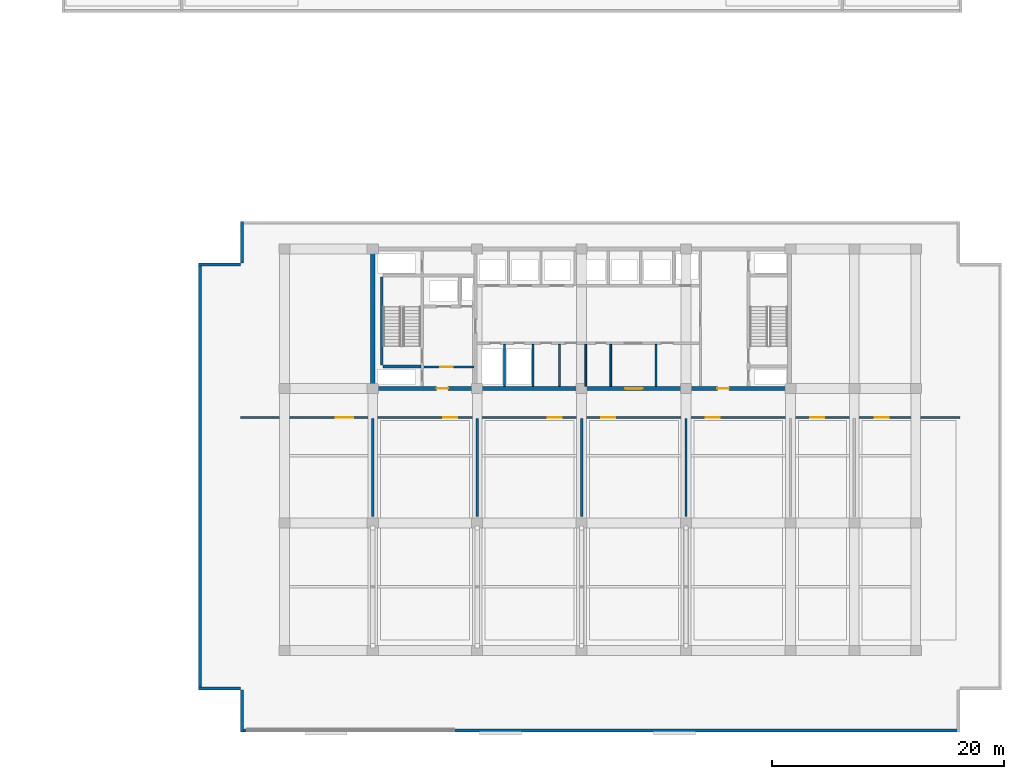
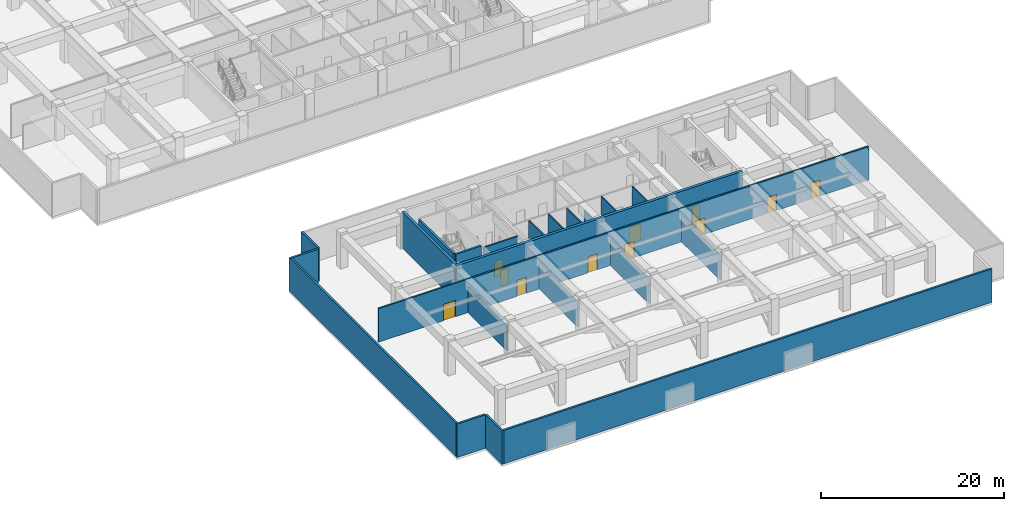
# One storey, part 8 of 21: 22 walls, 11 doors, 11 openings.
"""IFC4 building model written with IfcOpenShell, lengths in metres."""

from ifc_helpers import new_model, si_unit, direction, frame, frame_2d, origin, place, context, subcontext, project, spatial, rectangle, extrude, material, layer, layer_set, type_object, element, fill, save


model = new_model("IFC4")

# Units and contexts
model_context = context("Model", 3, precision=1e-05, world=origin(), true_north=direction((0.0, 1.0)))
body_context = subcontext(model_context, "Body", "Model", "MODEL_VIEW")
ifc_project = project(units=[si_unit("LENGTHUNIT", "METRE"), si_unit("AREAUNIT", "SQUARE_METRE"), si_unit("VOLUMEUNIT", "CUBIC_METRE"), si_unit("PLANEANGLEUNIT", "RADIAN"), si_unit("MASSUNIT", "GRAM", prefix="KILO")], contexts=[model_context])

# Site, building, storey
site_placement = place(None, origin())
site = spatial("IfcSite", under=ifc_project, at=site_placement, CompositionType="ELEMENT")
building_placement = place(site_placement, origin())
building = spatial("IfcBuilding", under=site, at=building_placement, Name="Korimba Cascade Residences", CompositionType="ELEMENT")
storey_placement = place(building_placement, frame((0.0, 0.0, 76.0)))
storey = spatial("IfcBuildingStorey", under=building, at=storey_placement, Name="L21", CompositionType="ELEMENT", Elevation=76.0)

# Walls
ifc_material_1 = material(Name="Precast concrete C40/50", Category="concrete")
ifc_layer_1 = layer(ifc_material_1, 0.25)
ifc_layer_set_1 = layer_set([ifc_layer_1], Name="Precast concrete C40/50")
wall_type_1 = type_object("IfcWallType", Name="EW-PLNT-250", PredefinedType="SHEAR", material=ifc_layer_set_1)
wall_1_placement = place(storey_placement, frame((70.699951171875, -11.074951171875, 0.0), z_axis=(0.0, 0.0, 1.0), x_axis=(1.0, 0.0, 0.0)))
element("IfcWall", 1, at=wall_1_placement, inside=storey, type_object=wall_type_1, Name="L21 T2 Perimeter Stone Wall E00", PredefinedType="SHEAR", context=body_context, shape_type="SweptSolid", body=[
    extrude(rectangle(XDim=62.0, YDim=0.25, at=frame_2d((31.0, 0.0))), origin(), (0.0, 0.0, 1.0), 4.47998046875),
])
wall_2_placement = place(storey_placement, frame((70.824951171875, 32.800048828125, 0.0), z_axis=(0.0, 0.0, 1.0), x_axis=(0.0, -1.0, 0.0)))
element("IfcWall", 2, at=wall_2_placement, inside=storey, type_object=wall_type_1, Name="L21 T2 Perimeter Stone Wall E07", PredefinedType="SHEAR", context=body_context, shape_type="SweptSolid", body=[
    extrude(rectangle(XDim=3.60009765625, YDim=0.25, at=frame_2d((1.800048828125, 0.0))), origin(), (0.0, 0.0, 1.0), 4.47998046875),
])
wall_3_placement = place(storey_placement, frame((70.699951171875, 29.074951171875, 0.0), z_axis=(0.0, 0.0, 1.0), x_axis=(-1.0, 0.0, 0.0)))
element("IfcWall", 3, at=wall_3_placement, inside=storey, type_object=wall_type_1, Name="L21 T2 Perimeter Stone Wall E08", PredefinedType="SHEAR", context=body_context, shape_type="SweptSolid", body=[
    extrude(rectangle(XDim=3.599853515625, YDim=0.25, at=frame_2d((1.7998046875, 0.0))), origin(), (0.0, 0.0, 1.0), 4.47998046875),
])
wall_4_placement = place(storey_placement, frame((67.22509765625, 29.199951171875, 0.0), z_axis=(0.0, 0.0, 1.0), x_axis=(0.0, -1.0, 0.0)))
element("IfcWall", 4, at=wall_4_placement, inside=storey, type_object=wall_type_1, Name="L21 T2 Perimeter Stone Wall E09", PredefinedType="SHEAR", context=body_context, shape_type="SweptSolid", body=[
    extrude(rectangle(XDim=36.800048828125, YDim=0.25, at=frame_2d((18.39990234375, 0.0))), origin(), (0.0, 0.0, 1.0), 4.47998046875),
])
for number, where, z_axis, x_axis, name in (
    (5, (67.10009765625, -7.47509765625, 0.0), (0.0, 0.0, 1.0), (1.0, 0.0, 0.0), "L21 T2 Perimeter Stone Wall E10"),
    (6, (70.824951171875, -7.60009765625, 0.0), (0.0, 0.0, 1.0), (0.0, -1.0, 0.0), "L21 T2 Perimeter Stone Wall E11"),
):
    element("IfcWall", number, at=place(storey_placement, frame(where, z_axis=z_axis, x_axis=x_axis)), inside=storey, type_object=wall_type_1, Name=name, PredefinedType="SHEAR", context=body_context, shape_type="SweptSolid", body=[
        extrude(rectangle(XDim=3.599853515625, YDim=0.25, at=frame_2d((1.7998046875, 0.0))), origin(), (0.0, 0.0, 1.0), 4.47998046875),
    ])
ifc_material_2 = material(Name="Concrete C65/80", Category="concrete")
ifc_layer_2 = layer(ifc_material_2, 0.35009765625)
ifc_layer_set_2 = layer_set([ifc_layer_2], Name="Concrete C65/80")
wall_type_2 = type_object("IfcWallType", Name="WAL-CORE-350", PredefinedType="SHEAR", material=ifc_layer_set_2)
wall_5_placement = place(storey_placement, frame((82.10009765625, 18.574951171875, 0.0), z_axis=(0.0, 0.0, 1.0), x_axis=(0.0, 1.0, 0.0)))
element("IfcWall", 7, at=wall_5_placement, inside=storey, type_object=wall_type_2, Name="L21 Core Shear Wall CW-L21-T2-W", PredefinedType="SHEAR", context=body_context, shape_type="SweptSolid", body=[
    extrude(rectangle(XDim=11.650146484375, YDim=0.35009765625, at=frame_2d((5.8251953125, 0.0))), origin(), (0.0, 0.0, 1.0), 4.800048828125),
])

# Wall, openings, doors
wall_6_placement = place(storey_placement, frame((81.925048828125, 18.39990234375, 0.0), z_axis=(0.0, 0.0, 1.0), x_axis=(1.0, 0.0, 0.0)))
wall_6 = element("IfcWall", 8, at=wall_6_placement, inside=storey, type_object=wall_type_2, Name="L21 Core Shear Wall CW-L21-T2-S", PredefinedType="SHEAR", context=body_context, shape_type="SweptSolid", body=[
    extrude(rectangle(XDim=36.264892578125, YDim=0.35009765625, at=frame_2d((18.13232421875, 0.0))), origin(), (0.0, 0.0, 1.0), 4.800048828125),
])
opening_1_placement = place(wall_6_placement, frame((5.675048828125, 0.0, 0.0)))
opening_1 = element("IfcOpeningElement", 9, at=opening_1_placement, cuts=wall_6, Name="Opening D-FD5", PredefinedType="OPENING", context=body_context, shape_type="SweptSolid", body=[
    extrude(rectangle(XDim=1.0, YDim=2.14990234375, at=frame_2d((0.5, 1.074951171875))), frame((0.0, 0.18505859375, 0.0), z_axis=(0.0, -1.0, 0.0), x_axis=(1.0, 0.0, 0.0)), (0.0, 0.0, 1.0), 0.3701171875),
])
opening_2_placement = place(wall_6_placement, frame((21.925048828125, 0.0, 0.0)))
opening_2 = element("IfcOpeningElement", 10, at=opening_2_placement, cuts=wall_6, Name="Opening D-FD8", PredefinedType="OPENING", context=body_context, shape_type="SweptSolid", body=[
    extrude(rectangle(XDim=1.5, YDim=2.199951171875, at=frame_2d((0.75, 1.10009765625))), frame((0.0, 0.18505859375, 0.0), z_axis=(0.0, -1.0, 0.0), x_axis=(1.0, 0.0, 0.0)), (0.0, 0.0, 1.0), 0.3701171875),
])
opening_3_placement = place(wall_6_placement, frame((29.875, 0.0, 0.0)))
opening_3 = element("IfcOpeningElement", 11, at=opening_3_placement, cuts=wall_6, Name="Opening D-FD5", PredefinedType="OPENING", context=body_context, shape_type="SweptSolid", body=[
    extrude(rectangle(XDim=1.0, YDim=2.14990234375, at=frame_2d((0.5, 1.074951171875))), frame((0.0, 0.18505859375, 0.0), z_axis=(0.0, -1.0, 0.0), x_axis=(1.0, 0.0, 0.0)), (0.0, 0.0, 1.0), 0.3701171875),
])
ifc_material_3 = material(Name="Fire-Rated Acoustic Timber Vestibule Door", Category="wood")
door_type_1 = type_object("IfcDoorType", Name="DR-FD90-1000", OperationType="NOTDEFINED", PredefinedType="DOOR", material=ifc_material_3)
door_1_placement = place(opening_1_placement, origin())
door_1 = element("IfcDoor", 12, at=door_1_placement, inside=storey, type_object=door_type_1, Name="L21 T2 West Core Vestibule Fire Door", OperationType="SINGLE_SWING_RIGHT", OverallHeight=2.14990234375, OverallWidth=1.0, PredefinedType="DOOR", context=body_context, shape_type="SweptSolid", body=[
    extrude(rectangle(XDim=1.0, YDim=2.14990234375, at=frame_2d((0.5, 1.074951171875))), frame((0.0, 0.02490234375, 0.0), z_axis=(0.0, -1.0, 0.0), x_axis=(1.0, 0.0, 0.0)), (0.0, 0.0, 1.0), 0.050048828125),
])
fill(opening_1, door_1)
door_2_placement = place(opening_3_placement, origin())
door_2 = element("IfcDoor", 13, at=door_2_placement, inside=storey, type_object=door_type_1, Name="L21 T2 East Stair Vestibule Fire Door", OperationType="SINGLE_SWING_LEFT", OverallHeight=2.14990234375, OverallWidth=1.0, PredefinedType="DOOR", context=body_context, shape_type="SweptSolid", body=[
    extrude(rectangle(XDim=1.0, YDim=2.14990234375, at=frame_2d((0.5, 1.074951171875))), frame((0.0, 0.02490234375, 0.0), z_axis=(0.0, -1.0, 0.0), x_axis=(1.0, 0.0, 0.0)), (0.0, 0.0, 1.0), 0.050048828125),
])
fill(opening_3, door_2)
ifc_material_4 = material(Name="Fire-Rated Glazed Lift Lobby Double Door", Category="glass")
door_type_2 = type_object("IfcDoorType", Name="DR-FD90-1500", OperationType="NOTDEFINED", PredefinedType="DOOR", material=ifc_material_4)
door_3_placement = place(opening_2_placement, origin())
door_3 = element("IfcDoor", 14, at=door_3_placement, inside=storey, type_object=door_type_2, Name="L21 T2 Lift Lobby Fire Door", OperationType="DOUBLE_DOOR_SINGLE_SWING", OverallHeight=2.199951171875, OverallWidth=1.5, PredefinedType="DOOR", context=body_context, shape_type="SweptSolid", body=[
    extrude(rectangle(XDim=1.5, YDim=2.199951171875, at=frame_2d((0.75, 1.10009765625))), frame((0.0, 0.02490234375, 0.0), z_axis=(0.0, -1.0, 0.0), x_axis=(1.0, 0.0, 0.0)), (0.0, 0.0, 1.0), 0.050048828125),
])
fill(opening_2, door_3)

# Walls
ifc_material_5 = material(Name="Insulated Acoustic Stud Partition", Category="gypsum")
ifc_layer_3 = layer(ifc_material_5, 0.14990234375)
ifc_layer_set_3 = layer_set([ifc_layer_3], Name="Insulated Acoustic Stud Partition")
wall_type_3 = type_object("IfcWallType", Name="WAL-PART-150", PredefinedType="PARTITIONING", material=ifc_layer_set_3)
for number, where, z_axis, x_axis, name in (
    (15, (93.449951171875, 18.60009765625, 0.0), (0.0, 0.0, 1.0), (0.0, 1.0, 0.0), "L21 Partition Wall CW-L21-T2-ERDIV"),
    (16, (95.89990234375, 18.60009765625, 0.0), (0.0, 0.0, 1.0), (0.0, 1.0, 0.0), "L21 Partition Wall CW-L21-T2-PRDIV"),
    (17, (98.199951171875, 18.60009765625, 0.0), (0.0, 0.0, 1.0), (0.0, 1.0, 0.0), "L21 Partition Wall CW-L21-T2-CA1W1"),
):
    element("IfcWall", number, at=place(storey_placement, frame(where, z_axis=z_axis, x_axis=x_axis)), inside=storey, type_object=wall_type_3, Name=name, PredefinedType="PARTITIONING", context=body_context, shape_type="SweptSolid", body=[
        extrude(rectangle(XDim=3.599853515625, YDim=0.14990234375, at=frame_2d((1.7998046875, 0.0))), origin(), (0.0, 0.0, 1.0), 4.47998046875),
    ])
wall_7_placement = place(storey_placement, frame((100.449951171875, 18.60009765625, 0.0), z_axis=(0.0, 0.0, 1.0), x_axis=(0.0, 1.0, 0.0)))
element("IfcWall", 18, at=wall_7_placement, inside=storey, type_object=wall_type_3, Name="L21 Partition Wall CW-L21-T2-CA1W2", PredefinedType="PARTITIONING", context=body_context, shape_type="SweptSolid", body=[
    extrude(rectangle(XDim=3.599853515625, YDim=0.14990234375, at=frame_2d((1.7998046875, 0.0))), origin(), (0.0, 0.0, 1.0), 3.330078125),
])
for number, where, z_axis, x_axis, name in (
    (19, (102.60009765625, 18.60009765625, 0.0), (0.0, 0.0, 1.0), (0.0, 1.0, 0.0), "L21 Partition Wall CW-L21-T2-THW"),
    (20, (106.5, 18.60009765625, 0.0), (0.0, 0.0, 1.0), (0.0, 1.0, 0.0), "L21 Partition Wall CW-L21-T2-THE"),
):
    element("IfcWall", number, at=place(storey_placement, frame(where, z_axis=z_axis, x_axis=x_axis)), inside=storey, type_object=wall_type_3, Name=name, PredefinedType="PARTITIONING", context=body_context, shape_type="SweptSolid", body=[
        extrude(rectangle(XDim=3.599853515625, YDim=0.14990234375, at=frame_2d((1.7998046875, 0.0))), origin(), (0.0, 0.0, 1.0), 4.47998046875),
    ])

# Wall, opening, door
ifc_material_6 = material(Name="Concrete C40/50", Category="concrete")
ifc_layer_4 = layer(ifc_material_6, 0.199951171875)
ifc_layer_set_4 = layer_set([ifc_layer_4], Name="Concrete C40/50")
wall_type_4 = type_object("IfcWallType", Name="WAL-PART-200", PredefinedType="PARTITIONING", material=ifc_layer_set_4)
wall_8_placement = place(storey_placement, frame((86.5, 20.25, 0.0), z_axis=(0.0, 0.0, 1.0), x_axis=(1.0, 0.0, 0.0)))
wall_8 = element("IfcWall", 21, at=wall_8_placement, inside=storey, type_object=wall_type_4, Name="L21 Partition Wall CW-L21-T2-FFLS", PredefinedType="PARTITIONING", context=body_context, shape_type="SweptSolid", body=[
    extrude(rectangle(XDim=4.320068359375, YDim=0.199951171875, at=frame_2d((2.16015625, 0.0))), origin(), (0.0, 0.0, 1.0), 4.47998046875),
])
opening_4_placement = place(wall_8_placement, frame((1.39990234375, 0.0, 0.0)))
opening_4 = element("IfcOpeningElement", 22, at=opening_4_placement, cuts=wall_8, Name="Opening D-FD1", PredefinedType="OPENING", context=body_context, shape_type="SweptSolid", body=[
    extrude(rectangle(XDim=1.10009765625, YDim=2.10009765625, at=frame_2d((0.550048828125, 1.050048828125))), frame((0.0, 0.10986328125, 0.0), z_axis=(0.0, -1.0, 0.0), x_axis=(1.0, 0.0, 0.0)), (0.0, 0.0, 1.0), 0.219970703125),
])
ifc_material_7 = material(Name="Fire-Rated Steel Core Door", Category="steel")
door_type_3 = type_object("IfcDoorType", Name="DR-FD120-1100", OperationType="NOTDEFINED", PredefinedType="DOOR", material=ifc_material_7)
door_4_placement = place(opening_4_placement, origin())
door_4 = element("IfcDoor", 23, at=door_4_placement, inside=storey, type_object=door_type_3, Name="L21 T2 Firefighting Lobby Door", OperationType="SINGLE_SWING_RIGHT", OverallHeight=2.10009765625, OverallWidth=1.10009765625, PredefinedType="DOOR", context=body_context, shape_type="SweptSolid", body=[
    extrude(rectangle(XDim=1.10009765625, YDim=2.10009765625, at=frame_2d((0.550048828125, 1.050048828125))), frame((0.0, 0.02490234375, 0.0), z_axis=(0.0, -1.0, 0.0), x_axis=(1.0, 0.0, 0.0)), (0.0, 0.0, 1.0), 0.050048828125),
])
fill(opening_4, door_4)

# Walls
for number, where, z_axis, x_axis, name in (
    (24, (82.10009765625, 7.35009765625, 0.0), (0.0, 0.0, 1.0), (0.0, 1.0, 0.0), "L21 Partition Wall WAL-L21-T2-PD1"),
    (25, (91.10009765625, 7.35009765625, 0.0), (0.0, 0.0, 1.0), (0.0, 1.0, 0.0), "L21 Partition Wall WAL-L21-T2-PD2"),
    (26, (100.10009765625, 7.35009765625, 0.0), (0.0, 0.0, 1.0), (0.0, 1.0, 0.0), "L21 Partition Wall WAL-L21-T2-PD3"),
    (27, (109.10009765625, 7.35009765625, 0.0), (0.0, 0.0, 1.0), (0.0, 1.0, 0.0), "L21 Partition Wall WAL-L21-T2-PD4"),
):
    element("IfcWall", number, at=place(storey_placement, frame(where, z_axis=z_axis, x_axis=x_axis)), inside=storey, type_object=wall_type_4, Name=name, PredefinedType="PARTITIONING", context=body_context, shape_type="SweptSolid", body=[
        extrude(rectangle(XDim=8.449951171875, YDim=0.199951171875, at=frame_2d((4.22509765625, 0.0))), origin(), (0.0, 0.0, 1.0), 3.330078125),
    ])

# Wall, openings, doors
wall_9_placement = place(storey_placement, frame((70.699951171875, 15.89990234375, 0.0), z_axis=(0.0, 0.0, 1.0), x_axis=(1.0, 0.0, 0.0)))
wall_9 = element("IfcWall", 28, at=wall_9_placement, inside=storey, type_object=wall_type_4, Name="L21 Partition Wall WAL-L21-T2-PCORS", PredefinedType="PARTITIONING", context=body_context, shape_type="SweptSolid", body=[
    extrude(rectangle(XDim=62.0, YDim=0.199951171875, at=frame_2d((31.0, 0.0))), origin(), (0.0, 0.0, 1.0), 4.47998046875),
])
opening_5_placement = place(wall_9_placement, frame((8.2255859375, 0.0, 0.0)))
opening_5 = element("IfcOpeningElement", 29, at=opening_5_placement, cuts=wall_9, Name="Opening D-FD4", PredefinedType="OPENING", context=body_context, shape_type="SweptSolid", body=[
    extrude(rectangle(XDim=1.5, YDim=2.179931640625, at=frame_2d((0.75, 1.08984375))), frame((0.0, 0.10986328125, 0.0), z_axis=(0.0, -1.0, 0.0), x_axis=(1.0, 0.0, 0.0)), (0.0, 0.0, 1.0), 0.219970703125),
])
opening_6_placement = place(wall_9_placement, frame((17.48876953125, 0.0, 0.0)))
opening_6 = element("IfcOpeningElement", 30, at=opening_6_placement, cuts=wall_9, Name="Opening D-FD3", PredefinedType="OPENING", context=body_context, shape_type="SweptSolid", body=[
    extrude(rectangle(XDim=1.199951171875, YDim=2.14990234375, at=frame_2d((0.60009765625, 1.074951171875))), frame((0.0, 0.10986328125, 0.0), z_axis=(0.0, -1.0, 0.0), x_axis=(1.0, 0.0, 0.0)), (0.0, 0.0, 1.0), 0.219970703125),
])
opening_7_placement = place(wall_9_placement, frame((26.48876953125, 0.0, 0.0)))
opening_7 = element("IfcOpeningElement", 31, at=opening_7_placement, cuts=wall_9, Name="Opening D-FD3", PredefinedType="OPENING", context=body_context, shape_type="SweptSolid", body=[
    extrude(rectangle(XDim=1.199951171875, YDim=2.14990234375, at=frame_2d((0.60009765625, 1.074951171875))), frame((0.0, 0.10986328125, 0.0), z_axis=(0.0, -1.0, 0.0), x_axis=(1.0, 0.0, 0.0)), (0.0, 0.0, 1.0), 0.219970703125),
])
opening_8_placement = place(wall_9_placement, frame((31.111083984375, 0.0, 0.0)))
opening_8 = element("IfcOpeningElement", 32, at=opening_8_placement, cuts=wall_9, Name="Opening D-FD3", PredefinedType="OPENING", context=body_context, shape_type="SweptSolid", body=[
    extrude(rectangle(XDim=1.199951171875, YDim=2.14990234375, at=frame_2d((0.60009765625, 1.074951171875))), frame((0.0, 0.10986328125, 0.0), z_axis=(0.0, -1.0, 0.0), x_axis=(1.0, 0.0, 0.0)), (0.0, 0.0, 1.0), 0.219970703125),
])
opening_9_placement = place(wall_9_placement, frame((40.111083984375, 0.0, 0.0)))
opening_9 = element("IfcOpeningElement", 33, at=opening_9_placement, cuts=wall_9, Name="Opening D-FD3", PredefinedType="OPENING", context=body_context, shape_type="SweptSolid", body=[
    extrude(rectangle(XDim=1.199951171875, YDim=2.14990234375, at=frame_2d((0.60009765625, 1.074951171875))), frame((0.0, 0.10986328125, 0.0), z_axis=(0.0, -1.0, 0.0), x_axis=(1.0, 0.0, 0.0)), (0.0, 0.0, 1.0), 0.219970703125),
])
opening_10_placement = place(wall_9_placement, frame((49.097900390625, 0.0, 0.0)))
opening_10 = element("IfcOpeningElement", 34, at=opening_10_placement, cuts=wall_9, Name="Opening D-FD3", PredefinedType="OPENING", context=body_context, shape_type="SweptSolid", body=[
    extrude(rectangle(XDim=1.199951171875, YDim=2.14990234375, at=frame_2d((0.60009765625, 1.074951171875))), frame((0.0, 0.10986328125, 0.0), z_axis=(0.0, -1.0, 0.0), x_axis=(1.0, 0.0, 0.0)), (0.0, 0.0, 1.0), 0.219970703125),
])
opening_11_placement = place(wall_9_placement, frame((54.66162109375, 0.0, 0.0)))
opening_11 = element("IfcOpeningElement", 35, at=opening_11_placement, cuts=wall_9, Name="Opening D-FD3", PredefinedType="OPENING", context=body_context, shape_type="SweptSolid", body=[
    extrude(rectangle(XDim=1.199951171875, YDim=2.14990234375, at=frame_2d((0.60009765625, 1.074951171875))), frame((0.0, 0.10986328125, 0.0), z_axis=(0.0, -1.0, 0.0), x_axis=(1.0, 0.0, 0.0)), (0.0, 0.0, 1.0), 0.219970703125),
])
ifc_material_8 = material(Name="Fire-Rated Steel Plant Door", Category="steel")
door_type_4 = type_object("IfcDoorType", Name="DR-FD120-1200", OperationType="NOTDEFINED", PredefinedType="DOOR", material=ifc_material_8)
door_5_placement = place(opening_6_placement, origin())
door_5 = element("IfcDoor", 36, at=door_5_placement, inside=storey, type_object=door_type_4, Name="L21 Tower 2 Chiller Plant Room Door", OperationType="SINGLE_SWING_RIGHT", OverallHeight=2.14990234375, OverallWidth=1.199951171875, PredefinedType="DOOR", context=body_context, shape_type="SweptSolid", body=[
    extrude(rectangle(XDim=1.199951171875, YDim=2.14990234375, at=frame_2d((0.60009765625, 1.074951171875))), frame((0.0, 0.02490234375, 0.0), z_axis=(0.0, -1.0, 0.0), x_axis=(1.0, 0.0, 0.0)), (0.0, 0.0, 1.0), 0.050048828125),
])
fill(opening_6, door_5)
door_6_placement = place(opening_7_placement, origin())
door_6 = element("IfcDoor", 37, at=door_6_placement, inside=storey, type_object=door_type_4, Name="L21 Tower 2 Condenser Water Plant Room Door", OperationType="SINGLE_SWING_LEFT", OverallHeight=2.14990234375, OverallWidth=1.199951171875, PredefinedType="DOOR", context=body_context, shape_type="SweptSolid", body=[
    extrude(rectangle(XDim=1.199951171875, YDim=2.14990234375, at=frame_2d((0.60009765625, 1.074951171875))), frame((0.0, 0.02490234375, 0.0), z_axis=(0.0, -1.0, 0.0), x_axis=(1.0, 0.0, 0.0)), (0.0, 0.0, 1.0), 0.050048828125),
])
fill(opening_7, door_6)
door_7_placement = place(opening_8_placement, origin())
door_7 = element("IfcDoor", 38, at=door_7_placement, inside=storey, type_object=door_type_4, Name="L21 Tower 2 AHU Plant Room Door", OperationType="SINGLE_SWING_RIGHT", OverallHeight=2.14990234375, OverallWidth=1.199951171875, PredefinedType="DOOR", context=body_context, shape_type="SweptSolid", body=[
    extrude(rectangle(XDim=1.199951171875, YDim=2.14990234375, at=frame_2d((0.60009765625, 1.074951171875))), frame((0.0, 0.02490234375, 0.0), z_axis=(0.0, -1.0, 0.0), x_axis=(1.0, 0.0, 0.0)), (0.0, 0.0, 1.0), 0.050048828125),
])
fill(opening_8, door_7)
door_8_placement = place(opening_9_placement, origin())
door_8 = element("IfcDoor", 39, at=door_8_placement, inside=storey, type_object=door_type_4, Name="L21 Tower 2 Smoke Fan Plant Room Door", OperationType="SINGLE_SWING_LEFT", OverallHeight=2.14990234375, OverallWidth=1.199951171875, PredefinedType="DOOR", context=body_context, shape_type="SweptSolid", body=[
    extrude(rectangle(XDim=1.199951171875, YDim=2.14990234375, at=frame_2d((0.60009765625, 1.074951171875))), frame((0.0, 0.02490234375, 0.0), z_axis=(0.0, -1.0, 0.0), x_axis=(1.0, 0.0, 0.0)), (0.0, 0.0, 1.0), 0.050048828125),
])
fill(opening_9, door_8)
door_9_placement = place(opening_10_placement, origin())
door_9 = element("IfcDoor", 40, at=door_9_placement, inside=storey, type_object=door_type_4, Name="L21 Tower 2 Hydronic Pump Plant Room Door", OperationType="SINGLE_SWING_RIGHT", OverallHeight=2.14990234375, OverallWidth=1.199951171875, PredefinedType="DOOR", context=body_context, shape_type="SweptSolid", body=[
    extrude(rectangle(XDim=1.199951171875, YDim=2.14990234375, at=frame_2d((0.60009765625, 1.074951171875))), frame((0.0, 0.02490234375, 0.0), z_axis=(0.0, -1.0, 0.0), x_axis=(1.0, 0.0, 0.0)), (0.0, 0.0, 1.0), 0.050048828125),
])
fill(opening_10, door_9)
door_10_placement = place(opening_11_placement, origin())
door_10 = element("IfcDoor", 41, at=door_10_placement, inside=storey, type_object=door_type_4, Name="L21 Tower 2 Transformer Switchroom Plant Door", OperationType="SINGLE_SWING_LEFT", OverallHeight=2.14990234375, OverallWidth=1.199951171875, PredefinedType="DOOR", context=body_context, shape_type="SweptSolid", body=[
    extrude(rectangle(XDim=1.199951171875, YDim=2.14990234375, at=frame_2d((0.60009765625, 1.074951171875))), frame((0.0, 0.02490234375, 0.0), z_axis=(0.0, -1.0, 0.0), x_axis=(1.0, 0.0, 0.0)), (0.0, 0.0, 1.0), 0.050048828125),
])
fill(opening_11, door_10)
ifc_material_9 = material(Name="Fire-Rated Double Steel Refuge Door", Category="steel")
door_type_5 = type_object("IfcDoorType", Name="DR-FD120-1500", OperationType="NOTDEFINED", PredefinedType="DOOR", material=ifc_material_9)
door_11_placement = place(opening_5_placement, origin())
door_11 = element("IfcDoor", 42, at=door_11_placement, inside=storey, type_object=door_type_5, Name="L21 Open-Air Fire Refuge Area Door", OperationType="DOUBLE_DOOR_SINGLE_SWING", OverallHeight=2.179931640625, OverallWidth=1.5, PredefinedType="DOOR", context=body_context, shape_type="SweptSolid", body=[
    extrude(rectangle(XDim=1.5, YDim=2.179931640625, at=frame_2d((0.75, 1.08984375))), frame((0.0, 0.02490234375, 0.0), z_axis=(0.0, -1.0, 0.0), x_axis=(1.0, 0.0, 0.0)), (0.0, 0.0, 1.0), 0.050048828125),
])
fill(opening_5, door_11)

# Walls
ifc_material_10 = material(Name="Concrete C50/60", Category="concrete")
ifc_layer_5 = layer(ifc_material_10, 0.25)
ifc_layer_set_5 = layer_set([ifc_layer_5], Name="Concrete C50/60")
wall_type_5 = type_object("IfcWallType", Name="WAL-SHAFT-250", PredefinedType="SHEAR", material=ifc_layer_set_5)
wall_10_placement = place(storey_placement, frame((82.875, 20.39990234375, 0.0), z_axis=(0.0, 0.0, 1.0), x_axis=(0.0, 1.0, 0.0)))
element("IfcWall", 43, at=wall_10_placement, inside=storey, type_object=wall_type_5, Name="L21 Core Shear Wall CW-L21-T2-STE1W", PredefinedType="SHEAR", context=body_context, shape_type="SweptSolid", body=[
    extrude(rectangle(XDim=7.60009765625, YDim=0.25, at=frame_2d((3.800048828125, 0.0))), origin(), (0.0, 0.0, 1.0), 4.800048828125),
])
wall_11_placement = place(storey_placement, frame((83.0, 20.27490234375, 0.0), z_axis=(0.0, 0.0, 1.0), x_axis=(1.0, 0.0, 0.0)))
element("IfcWall", 44, at=wall_11_placement, inside=storey, type_object=wall_type_5, Name="L21 Core Shear Wall CW-L21-T2-STE1S", PredefinedType="SHEAR", context=body_context, shape_type="SweptSolid", body=[
    extrude(rectangle(XDim=3.239990234375, YDim=0.25, at=frame_2d((1.6201171875, 0.0))), origin(), (0.0, 0.0, 1.0), 4.800048828125),
])

save(model, "model.ifc")
